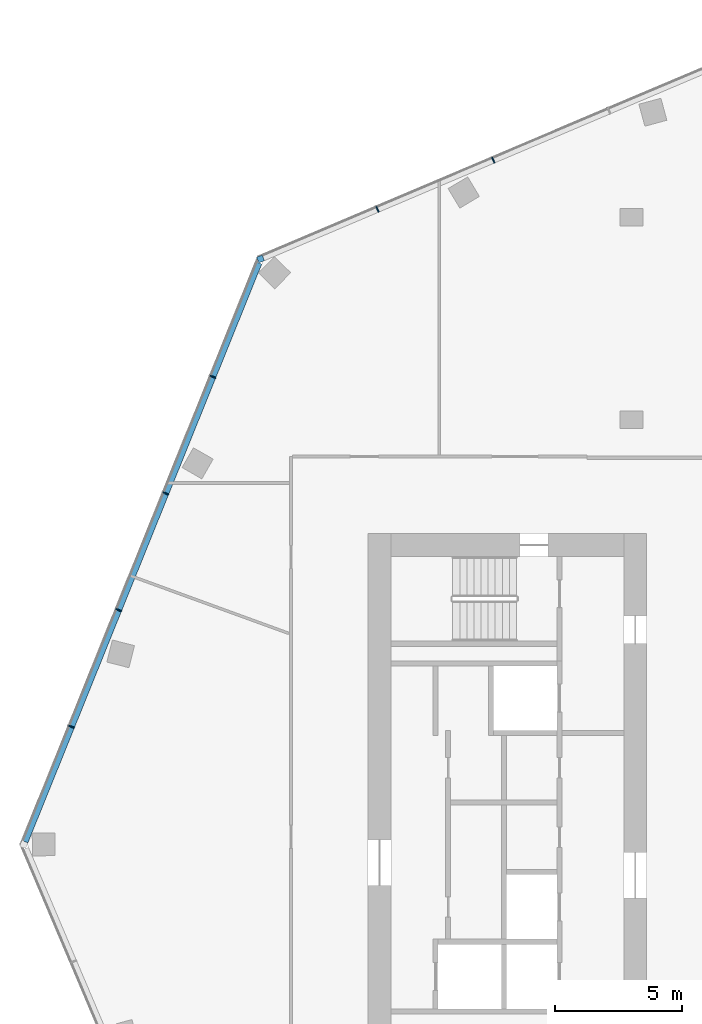
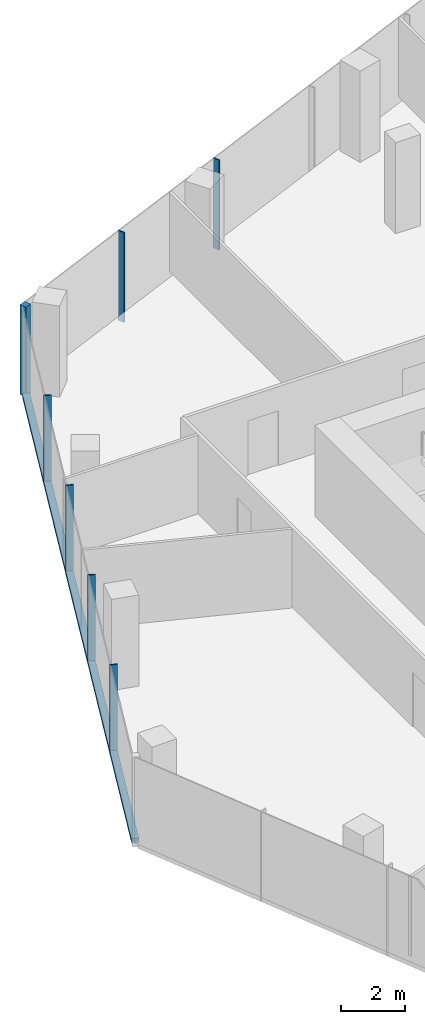
# One storey, part 6 of 17: 8 members, 2 elements without a shape of their own.
"""IFC4 building model written with IfcOpenShell, lengths in metres."""

from ifc_helpers import new_model, si_unit, direction, frame, origin, origin_2d, place, context, subcontext, project, spatial, rectangle, extrude, material, material_profile, profile_set, type_object, element, aggregate, save


model = new_model("IFC4")

# Units and contexts
model_context = context("Model", 3, precision=1e-05, world=origin(), true_north=direction((0.0, 1.0)))
body_context = subcontext(model_context, "Body", "Model", "MODEL_VIEW")
ifc_project = project(units=[si_unit("LENGTHUNIT", "METRE"), si_unit("AREAUNIT", "SQUARE_METRE"), si_unit("VOLUMEUNIT", "CUBIC_METRE"), si_unit("PLANEANGLEUNIT", "RADIAN"), si_unit("MASSUNIT", "GRAM", prefix="KILO")], contexts=[model_context])

# Site, building, storey
site_placement = place(None, origin())
site = spatial("IfcSite", under=ifc_project, at=site_placement, CompositionType="ELEMENT")
building_placement = place(site_placement, origin())
building = spatial("IfcBuilding", under=site, at=building_placement, Name="Orlundy Tower", CompositionType="ELEMENT")
storey_placement = place(building_placement, frame((0.0, 0.0, 296.39990234375)))
storey = spatial("IfcBuildingStorey", under=building, at=storey_placement, Name="L79", CompositionType="ELEMENT", Elevation=296.39990234375)

# Curtain wall, member
ifc_material_1 = material(Name="Aluminium bronze anodised", Category="aluminium")
curtain_wall_type = type_object("IfcCurtainWallType", Name="CW6 wall", PredefinedType="NOTDEFINED", material=ifc_material_1)
curtain_wall_1_placement = place(storey_placement, origin())
curtain_wall_1 = element("IfcCurtainWall", 1, at=curtain_wall_1_placement, inside=storey, type_object=curtain_wall_type, Name="CW6 run 06", PredefinedType="NOTDEFINED")
ifc_material_2 = material(Name="Aluminium bronze anodised", Category="aluminium")
ifc_material_profile_1 = material_profile(ifc_material_2, rectangle(XDim=0.239990234375, YDim=0.239990234375, at=origin_2d()), Name="CW6 corner post 240x240")
ifc_profile_set_1 = profile_set([ifc_material_profile_1], Name="Aluminium bronze anodised")
member_type_1 = type_object("IfcMemberType", Name="CW6 corner post 240x240", PredefinedType="MULLION", material=ifc_profile_set_1)
member_1_placement = place(storey_placement, frame((-23.253662109375, 22.85107421875, -0.39990234375), z_axis=(0.0, 0.0, 1.0), x_axis=(-0.390726531244, 0.920506804854, 0.0)))
member_1 = element("IfcMember", 2, at=member_1_placement, type_object=member_type_1, Name="CW6 mullion 26", PredefinedType="MULLION", context=body_context, shape_type="SweptSolid", body=[
    extrude(rectangle(XDim=0.239990234375, YDim=0.239990234375, at=origin_2d()), origin(), (0.0, 0.0, 1.0), 3.449951171875),
])

# Curtain wall, members
curtain_wall_2_placement = place(storey_placement, origin())
curtain_wall_2 = element("IfcCurtainWall", 3, at=curtain_wall_2_placement, inside=storey, type_object=curtain_wall_type, Name="CW6 run 05", PredefinedType="NOTDEFINED")
ifc_material_3 = material(Name="Aluminium bronze anodised", Category="aluminium")
ifc_material_profile_2 = material_profile(ifc_material_3, rectangle(XDim=0.239990234375, YDim=0.050048828125, at=origin_2d()), Name="CW6 mullion 50x240")
ifc_profile_set_2 = profile_set([ifc_material_profile_2], Name="Aluminium bronze anodised")
member_type_2 = type_object("IfcMemberType", Name="CW6 mullion 50x240", PredefinedType="MULLION", material=ifc_profile_set_2)
member_2_placement = place(storey_placement, frame((-30.72021484375, 4.37060546875, -0.39990234375), z_axis=(0.0, 0.0, 1.0), x_axis=(-0.927183523653, 0.374607412456, 0.0)))
member_2 = element("IfcMember", 4, at=member_2_placement, type_object=member_type_2, Name="CW6 mullion 22", PredefinedType="MULLION", context=body_context, shape_type="SweptSolid", body=[
    extrude(rectangle(XDim=0.239990234375, YDim=0.050048828125, at=origin_2d()), origin(), (0.0, 0.0, 1.0), 3.449951171875),
])
member_3_placement = place(storey_placement, frame((-28.858154296875, 8.979248046875, -0.39990234375), z_axis=(0.0, 0.0, 1.0), x_axis=(-0.927183523653, 0.374607412456, 0.0)))
member_3 = element("IfcMember", 5, at=member_3_placement, type_object=member_type_2, Name="CW6 mullion 23", PredefinedType="MULLION", context=body_context, shape_type="SweptSolid", body=[
    extrude(rectangle(XDim=0.239990234375, YDim=0.050048828125, at=origin_2d()), origin(), (0.0, 0.0, 1.0), 3.449951171875),
])
member_4_placement = place(storey_placement, frame((-26.996337890625, 13.587646484375, -0.39990234375), z_axis=(0.0, 0.0, 1.0), x_axis=(-0.927183523653, 0.374607412456, 0.0)))
member_4 = element("IfcMember", 6, at=member_4_placement, type_object=member_type_2, Name="CW6 mullion 24", PredefinedType="MULLION", context=body_context, shape_type="SweptSolid", body=[
    extrude(rectangle(XDim=0.239990234375, YDim=0.050048828125, at=origin_2d()), origin(), (0.0, 0.0, 1.0), 3.449951171875),
])
member_5_placement = place(storey_placement, frame((-25.13427734375, 18.1962890625, -0.39990234375), z_axis=(0.0, 0.0, 1.0), x_axis=(-0.927183523653, 0.374607412456, 0.0)))
member_5 = element("IfcMember", 7, at=member_5_placement, type_object=member_type_2, Name="CW6 mullion 25", PredefinedType="MULLION", context=body_context, shape_type="SweptSolid", body=[
    extrude(rectangle(XDim=0.239990234375, YDim=0.050048828125, at=origin_2d()), origin(), (0.0, 0.0, 1.0), 3.449951171875),
])

# Member
member_6_placement = place(storey_placement, frame((-18.63232421875, 24.812744140625, -0.39990234375), z_axis=(0.0, 0.0, 1.0), x_axis=(-0.390726531244, 0.920506804854, 0.0)))
member_6 = element("IfcMember", 8, at=member_6_placement, type_object=member_type_2, Name="CW6 mullion 27", PredefinedType="MULLION", context=body_context, shape_type="SweptSolid", body=[
    extrude(rectangle(XDim=0.239990234375, YDim=0.050048828125, at=origin_2d()), origin(), (0.0, 0.0, 1.0), 3.449951171875),
])

member_7_placement = place(storey_placement, frame((-14.056640625, 26.7548828125, -0.39990234375), z_axis=(0.0, 0.0, 1.0), x_axis=(-0.390726531244, 0.920506804854, 0.0)))
member_7 = element("IfcMember", 9, at=member_7_placement, type_object=member_type_2, Name="CW6 mullion 28", PredefinedType="MULLION", context=body_context, shape_type="SweptSolid", body=[
    extrude(rectangle(XDim=0.239990234375, YDim=0.050048828125, at=origin_2d()), origin(), (0.0, 0.0, 1.0), 3.449951171875),
])

aggregate(curtain_wall_1, [member_1, member_6, member_7])

ifc_material_4 = material(Name="Aluminium bronze anodised", Category="aluminium")
ifc_material_profile_3 = material_profile(ifc_material_4, rectangle(XDim=0.239990234375, YDim=0.159912109375, at=origin_2d()), Name="CW6 transom 240x160")
ifc_profile_set_3 = profile_set([ifc_material_profile_3], Name="Aluminium bronze anodised")
member_type_3 = type_object("IfcMemberType", Name="CW6 transom 240x160", PredefinedType="USERDEFINED", material=ifc_profile_set_3)
member_8_placement = place(storey_placement, frame((-32.555908203125, -0.1728515625, -0.31982421875), z_axis=(0.374610845619, 0.927182136554, 0.0), x_axis=(-0.927182136554, 0.374610845619, 0.0)))
member_8 = element("IfcMember", 10, at=member_8_placement, type_object=member_type_3, Name="CW6 transom", ObjectType="TRANSOM", PredefinedType="USERDEFINED", context=body_context, shape_type="SweptSolid", body=[
    extrude(rectangle(XDim=0.239990234375, YDim=0.159912109375, at=origin_2d()), origin(), (0.0, 0.0, 1.0), 24.662353515625),
])

aggregate(curtain_wall_2, [member_2, member_3, member_4, member_5, member_8])

save(model, "model.ifc")
